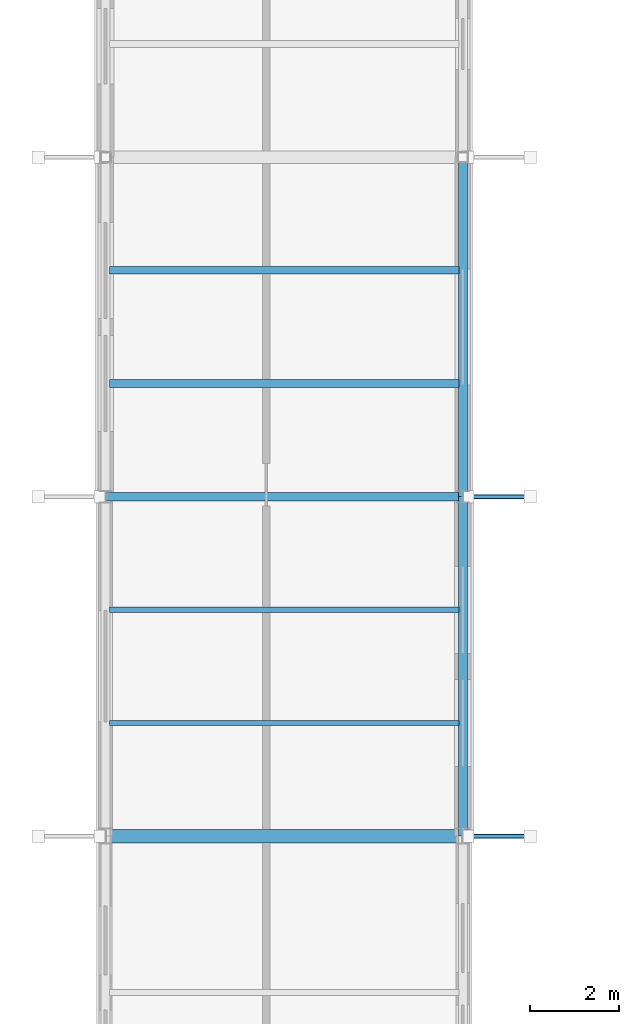
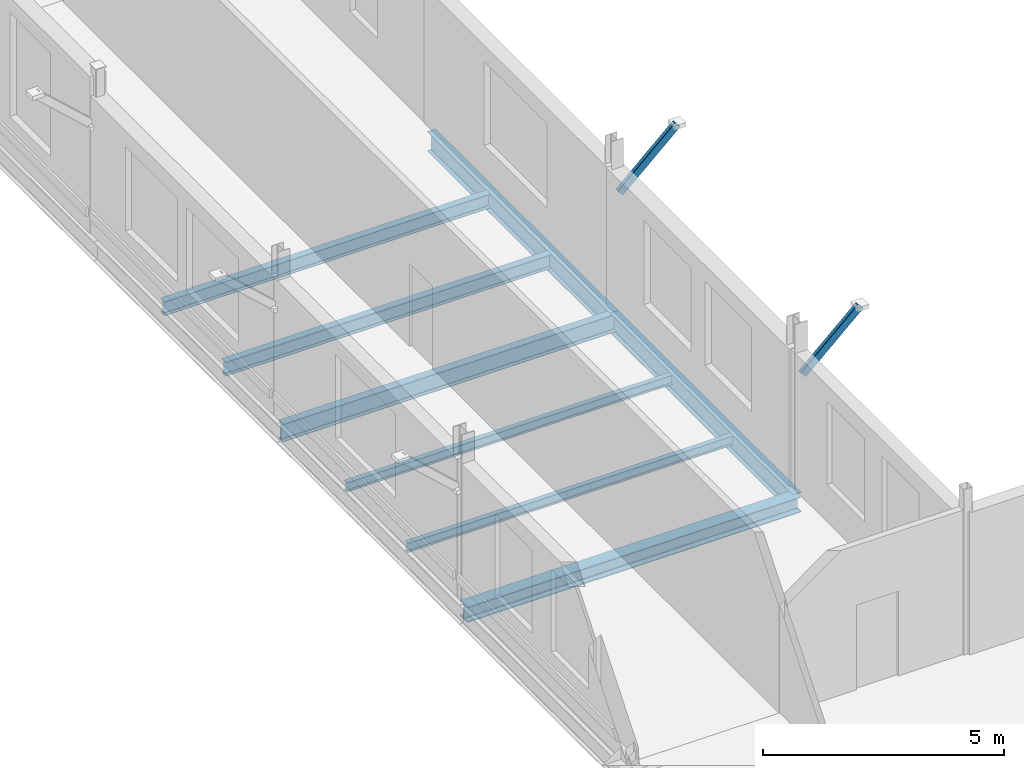
# One storey, part 23 of 101: 8 beams, 2 members.
"""IFC4 building model written with IfcOpenShell, lengths in metres."""

from ifc_helpers import new_model, si_unit, direction, frame, origin, origin_2d, place, context, subcontext, project, spatial, hollow_rectangle, i_section, extrude, material, material_profile, profile_set, type_object, element, save


model = new_model("IFC4")

# Units and contexts
model_context = context("Model", 3, precision=1e-05, world=origin(), true_north=direction((0.0, 1.0)))
body_context = subcontext(model_context, "Body", "Model", "MODEL_VIEW")
ifc_project = project(units=[si_unit("LENGTHUNIT", "METRE"), si_unit("AREAUNIT", "SQUARE_METRE"), si_unit("VOLUMEUNIT", "CUBIC_METRE"), si_unit("PLANEANGLEUNIT", "RADIAN"), si_unit("MASSUNIT", "GRAM", prefix="KILO")], contexts=[model_context])

# Site, building, storey
site_placement = place(None, origin())
site = spatial("IfcSite", under=ifc_project, at=site_placement, CompositionType="ELEMENT")
building_placement = place(site_placement, origin())
building = spatial("IfcBuilding", under=site, at=building_placement, Name="Vekula Escarpment Museum", CompositionType="ELEMENT")
storey_placement = place(building_placement, frame((0.0, 0.0, 18.0)))
storey = spatial("IfcBuildingStorey", under=building, at=storey_placement, Name="L04", CompositionType="ELEMENT", Elevation=18.0)

# Beams
ifc_material_1 = material(Name="Steel S355", Category="steel")
ifc_material_profile_1 = material_profile(ifc_material_1, i_section(OverallWidth=0.18994140625, OverallDepth=0.449951171875, WebThickness=0.009521484375, FlangeThickness=0.0146484375, FilletRadius=0.02099609375, at=origin_2d()), Name="IPE 450")
ifc_profile_set_1 = profile_set([ifc_material_profile_1], Name="Steel S355")
beam_type_1 = type_object("IfcBeamType", Name="BM-GIRD-IPE450", PredefinedType="BEAM", material=ifc_profile_set_1)
beam_1_placement = place(storey_placement, frame((40.0, 98.0, -0.465087890625), z_axis=(1.0, 0.0, 0.0), x_axis=(0.0, 1.0, 0.0)))
element("IfcBeam", 1, at=beam_1_placement, inside=storey, type_object=beam_type_1, Name="Beam X L04 1792", PredefinedType="BEAM", context=body_context, shape_type="SweptSolid", body=[
    extrude(i_section(OverallWidth=0.18994140625, OverallDepth=0.449951171875, WebThickness=0.009521484375, FlangeThickness=0.0146484375, FilletRadius=0.02099609375, at=origin_2d()), origin(), (0.0, 0.0, 1.0), 8.0),
])
ifc_material_2 = material(Name="Steel S355", Category="steel")
ifc_material_profile_2 = material_profile(ifc_material_2, i_section(OverallWidth=0.199951171875, OverallDepth=0.5, WebThickness=0.01025390625, FlangeThickness=0.01611328125, FilletRadius=0.02099609375, at=origin_2d()), Name="IPE 500")
ifc_profile_set_2 = profile_set([ifc_material_profile_2], Name="Steel S355")
beam_type_2 = type_object("IfcBeamType", Name="BM-GIRD-IPE500", PredefinedType="BEAM", material=ifc_profile_set_2)
for number, where, z_axis, x_axis, name in (
    (2, (48.0, 90.39990234375, -0.489990234375), (0.0, 1.0, 0.0), (-1.0, 0.0, 0.0), "Beam Y L04 1860"),
    (3, (48.0, 98.0, -0.489990234375), (0.0, 1.0, 0.0), (-1.0, 0.0, 0.0), "Beam Y L04 1861"),
):
    element("IfcBeam", number, at=place(storey_placement, frame(where, z_axis=z_axis, x_axis=x_axis)), inside=storey, type_object=beam_type_2, Name=name, PredefinedType="BEAM", context=body_context, shape_type="SweptSolid", body=[
        extrude(i_section(OverallWidth=0.199951171875, OverallDepth=0.5, WebThickness=0.01025390625, FlangeThickness=0.01611328125, FilletRadius=0.02099609375, at=origin_2d()), origin(), (0.0, 0.0, 1.0), 7.60009765625),
    ])
ifc_material_3 = material(Name="Steel S355", Category="steel")
ifc_material_profile_3 = material_profile(ifc_material_3, i_section(OverallWidth=0.1201171875, OverallDepth=0.239990234375, WebThickness=0.006103515625, FlangeThickness=0.009765625, FilletRadius=0.014892578125, at=origin_2d()), Name="IPE 240")
ifc_profile_set_3 = profile_set([ifc_material_profile_3], Name="Steel S355")
beam_type_3 = type_object("IfcBeamType", Name="BM-JST-IPE240", PredefinedType="JOIST", material=ifc_profile_set_3)
for number, where, z_axis, x_axis, name in (
    (4, (40.090087890625, 92.933349609375, -0.360107421875), (1.0, 0.0, 0.0), (0.0, 1.0, 0.0), "Secondary Joist L04 1172"),
    (5, (40.090087890625, 95.466796875, -0.360107421875), (1.0, 0.0, 0.0), (0.0, 1.0, 0.0), "Secondary Joist L04 1173"),
):
    element("IfcBeam", number, at=place(storey_placement, frame(where, z_axis=z_axis, x_axis=x_axis)), inside=storey, type_object=beam_type_3, Name=name, PredefinedType="JOIST", context=body_context, shape_type="SweptSolid", body=[
        extrude(i_section(OverallWidth=0.1201171875, OverallDepth=0.239990234375, WebThickness=0.006103515625, FlangeThickness=0.009765625, FilletRadius=0.014892578125, at=origin_2d()), origin(), (0.0, 0.0, 1.0), 7.81982421875),
    ])
ifc_material_4 = material(Name="Steel S355", Category="steel")
ifc_material_profile_4 = material_profile(ifc_material_4, i_section(OverallWidth=0.169921875, OverallDepth=0.360107421875, WebThickness=0.008056640625, FlangeThickness=0.0126953125, FilletRadius=0.01806640625, at=origin_2d()), Name="IPE 360")
ifc_profile_set_4 = profile_set([ifc_material_profile_4], Name="Steel S355")
beam_type_4 = type_object("IfcBeamType", Name="BM-JST-IPE360", PredefinedType="JOIST", material=ifc_profile_set_4)
for number, where, z_axis, x_axis, name in (
    (6, (40.090087890625, 100.533203125, -0.419921875), (1.0, 0.0, 0.0), (0.0, 1.0, 0.0), "Secondary Joist L04 1174"),
    (7, (40.090087890625, 103.066650390625, -0.419921875), (1.0, 0.0, 0.0), (0.0, 1.0, 0.0), "Secondary Joist L04 1175"),
):
    element("IfcBeam", number, at=place(storey_placement, frame(where, z_axis=z_axis, x_axis=x_axis)), inside=storey, type_object=beam_type_4, Name=name, PredefinedType="JOIST", context=body_context, shape_type="SweptSolid", body=[
        extrude(i_section(OverallWidth=0.169921875, OverallDepth=0.360107421875, WebThickness=0.008056640625, FlangeThickness=0.0126953125, FilletRadius=0.01806640625, at=origin_2d()), origin(), (0.0, 0.0, 1.0), 7.81982421875),
    ])
ifc_material_5 = material(Name="Steel S355", Category="steel")
ifc_material_profile_5 = material_profile(ifc_material_5, i_section(OverallWidth=0.300048828125, OverallDepth=0.389892578125, WebThickness=0.010986328125, FlangeThickness=0.01904296875, FilletRadius=0.027099609375, at=origin_2d()), Name="HEA 400")
ifc_profile_set_5 = profile_set([ifc_material_profile_5], Name="Steel S355")
beam_type_5 = type_object("IfcBeamType", Name="BM-SPAN-HEA400", PredefinedType="SPANDREL", material=ifc_profile_set_5)
beam_2_placement = place(storey_placement, frame((40.0, 90.39990234375, -0.43505859375), z_axis=(1.0, 0.0, 0.0), x_axis=(0.0, 1.0, 0.0)))
element("IfcBeam", 8, at=beam_2_placement, inside=storey, type_object=beam_type_5, Name="Beam X L04 1781", PredefinedType="SPANDREL", context=body_context, shape_type="SweptSolid", body=[
    extrude(i_section(OverallWidth=0.300048828125, OverallDepth=0.389892578125, WebThickness=0.010986328125, FlangeThickness=0.01904296875, FilletRadius=0.027099609375, at=origin_2d()), origin(), (0.0, 0.0, 1.0), 8.0),
])

# Members
ifc_material_6 = material(Name="Steel S355", Category="steel")
ifc_material_profile_6 = material_profile(ifc_material_6, hollow_rectangle(XDim=0.10009765625, YDim=0.199951171875, WallThickness=0.008056640625, InnerFilletRadius=0.008056640625, OuterFilletRadius=0.01611328125, at=origin_2d()), Name="RHS 200x100x8")
ifc_profile_set_6 = profile_set([ifc_material_profile_6], Name="Steel S355")
member_type = type_object("IfcMemberType", Name="MB-SACAK-BRK", PredefinedType="STRUT", material=ifc_profile_set_6)
for number, where, z_axis, x_axis, name in (
    (9, (48.1201171875, 90.39990234375, 2.75), (0.738454378718, 0.0, 0.674303441006), (0.0, 1.0, 0.0), "Ottoman Sacak Eave Bracket L05-0113"),
    (10, (48.1201171875, 98.0, 2.75), (0.738454378718, 0.0, 0.674303441006), (0.0, 1.0, 0.0), "Ottoman Sacak Eave Bracket L05-0114"),
):
    element("IfcMember", number, at=place(storey_placement, frame(where, z_axis=z_axis, x_axis=x_axis)), inside=storey, type_object=member_type, Name=name, PredefinedType="STRUT", context=body_context, shape_type="SweptSolid", body=[
        extrude(hollow_rectangle(XDim=0.10009765625, YDim=0.199951171875, WallThickness=0.008056640625, InnerFilletRadius=0.008056640625, OuterFilletRadius=0.01611328125, at=origin_2d()), origin(), (0.0, 0.0, 1.0), 1.86865234375),
    ])

save(model, "model.ifc")
